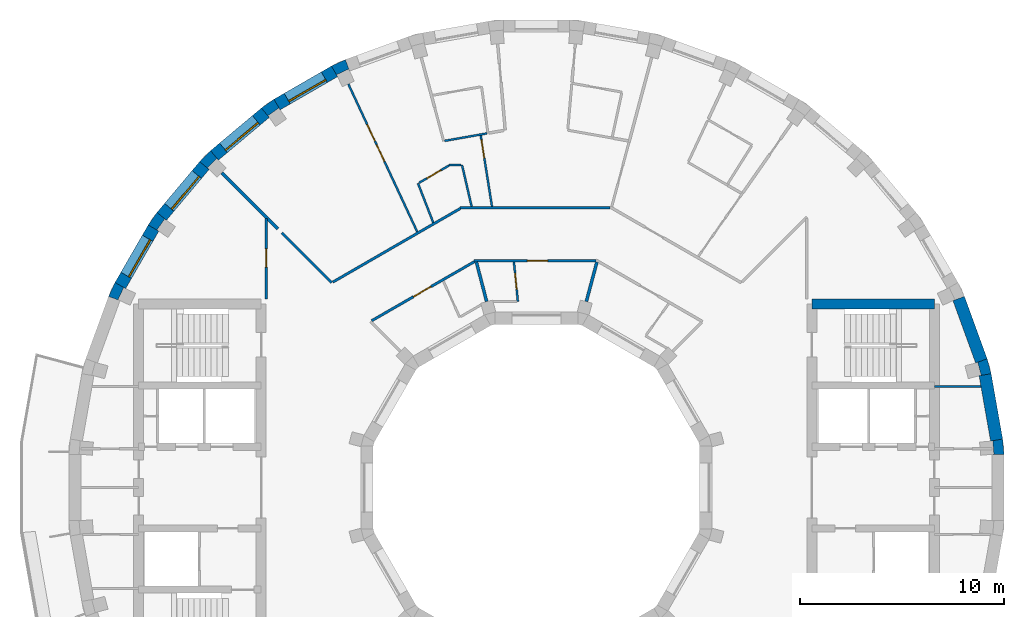
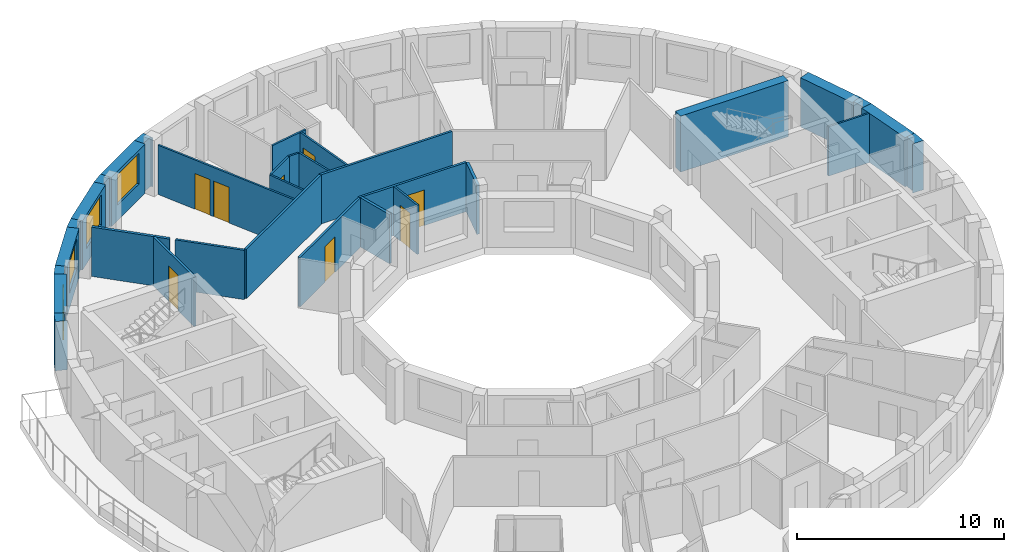
# One storey, part 7 of 10: 32 walls, 8 doors, 4 windows, 12 openings.
"""IFC4 building model written with IfcOpenShell, lengths in metres."""

from ifc_helpers import new_model, si_unit, direction, frame, frame_2d, origin, place, context, subcontext, project, spatial, polyline, rectangle, outline, extrude, material, layer, layer_set, type_object, element, fill, save


model = new_model("IFC4")

# Units and contexts
model_context = context("Model", 3, precision=1e-05, world=origin(), true_north=direction((0.0, 1.0)))
body_context = subcontext(model_context, "Body", "Model", "MODEL_VIEW")
ifc_project = project(units=[si_unit("LENGTHUNIT", "METRE"), si_unit("AREAUNIT", "SQUARE_METRE"), si_unit("VOLUMEUNIT", "CUBIC_METRE"), si_unit("PLANEANGLEUNIT", "RADIAN"), si_unit("MASSUNIT", "GRAM", prefix="KILO")], contexts=[model_context])

# Site, building, storey
site_placement = place(None, origin())
site = spatial("IfcSite", under=ifc_project, at=site_placement, CompositionType="ELEMENT")
building_placement = place(site_placement, origin())
building = spatial("IfcBuilding", under=site, at=building_placement, Name="Saqina Gate Tower", CompositionType="ELEMENT")
storey_placement = place(building_placement, frame((0.0, 0.0, 249.5)))
storey = spatial("IfcBuildingStorey", under=building, at=storey_placement, Name="L71", CompositionType="ELEMENT", Elevation=249.5)

# Walls
ifc_material_1 = material(Name="Brick masonry (buff)", Category="masonry")
wall_type_1 = type_object("IfcWallType", Name="BRICK PIER COPING BUFF", PredefinedType="SOLIDWALL", material=ifc_material_1)
wall_1_placement = place(storey_placement, origin())
element("IfcWall", 1, at=wall_1_placement, inside=storey, type_object=wall_type_1, Name="Pier cap L71 column 1", PredefinedType="SOLIDWALL", context=body_context, shape_type="SweptSolid", body=[
    extrude(outline(polyline([(22.91259765625, 1.625732421875), (22.8466796875, 2.377685546875), (22.255859375, 2.2734375), (22.361083984375, 2.28271484375), (22.417724609375, 1.635009765625), (22.3125, 1.625732421875), (22.91259765625, 1.625732421875)])), origin(), (0.0, 0.0, 1.0), 2.89990234375),
])
wall_2_placement = place(storey_placement, origin())
element("IfcWall", 2, at=wall_2_placement, inside=storey, type_object=wall_type_1, Name="Pier cap L71 column 2", PredefinedType="SOLIDWALL", context=body_context, shape_type="SweptSolid", body=[
    extrude(outline(polyline([(22.0869140625, 6.30859375), (21.52294921875, 6.103515625), (21.625, 6.130859375), (21.793212890625, 5.5029296875), (21.691162109375, 5.4755859375), (22.281982421875, 5.579833984375), (22.0869140625, 6.30859375)])), origin(), (0.0, 0.0, 1.0), 2.89990234375),
])
wall_3_placement = place(storey_placement, origin())
element("IfcWall", 3, at=wall_3_placement, inside=storey, type_object=wall_type_1, Name="Pier cap L71 column 12", PredefinedType="SOLIDWALL", context=body_context, shape_type="SweptSolid", body=[
    extrude(outline(polyline([(-9.3642578125, 20.974609375), (-10.048095703125, 20.65576171875), (-9.748291015625, 20.135986328125), (-9.79296875, 20.23193359375), (-9.203857421875, 20.506591796875), (-9.1591796875, 20.410888671875), (-9.3642578125, 20.974609375)])), origin(), (0.0, 0.0, 1.0), 2.89990234375),
])
wall_4_placement = place(storey_placement, origin())
element("IfcWall", 4, at=wall_4_placement, inside=storey, type_object=wall_type_1, Name="Pier cap L71 column 13", PredefinedType="SOLIDWALL", context=body_context, shape_type="SweptSolid", body=[
    extrude(outline(polyline([(-12.8642578125, 19.02978515625), (-13.482421875, 18.59716796875), (-13.0966796875, 18.137451171875), (-13.157470703125, 18.22412109375), (-12.625, 18.596923828125), (-12.564208984375, 18.51025390625), (-12.8642578125, 19.02978515625)])), origin(), (0.0, 0.0, 1.0), 2.89990234375),
])
wall_5_placement = place(storey_placement, origin())
element("IfcWall", 5, at=wall_5_placement, inside=storey, type_object=wall_type_1, Name="Pier cap L71 column 14", PredefinedType="SOLIDWALL", context=body_context, shape_type="SweptSolid", body=[
    extrude(outline(polyline([(-16.5068359375, 15.973388671875), (-16.04736328125, 15.587646484375), (-16.1220703125, 15.662353515625), (-15.662353515625, 16.1220703125), (-15.587646484375, 16.04736328125), (-15.973388671875, 16.5068359375), (-16.5068359375, 15.973388671875)])), origin(), (0.0, 0.0, 1.0), 2.89990234375),
])
wall_6_placement = place(storey_placement, origin())
element("IfcWall", 6, at=wall_6_placement, inside=storey, type_object=wall_type_1, Name="Pier cap L71 column 15", PredefinedType="SOLIDWALL", context=body_context, shape_type="SweptSolid", body=[
    extrude(outline(polyline([(-19.02978515625, 12.8642578125), (-18.51025390625, 12.564208984375), (-18.596923828125, 12.625), (-18.22412109375, 13.157470703125), (-18.137451171875, 13.0966796875), (-18.59716796875, 13.482421875), (-19.02978515625, 12.8642578125)])), origin(), (0.0, 0.0, 1.0), 2.89990234375),
])
wall_7_placement = place(storey_placement, origin())
element("IfcWall", 7, at=wall_7_placement, inside=storey, type_object=wall_type_1, Name="Pier cap L71 column 16", PredefinedType="SOLIDWALL", context=body_context, shape_type="SweptSolid", body=[
    extrude(outline(polyline([(-20.65576171875, 10.048095703125), (-20.974609375, 9.3642578125), (-20.410888671875, 9.1591796875), (-20.506591796875, 9.203857421875), (-20.23193359375, 9.79296875), (-20.135986328125, 9.748291015625), (-20.65576171875, 10.048095703125)])), origin(), (0.0, 0.0, 1.0), 2.89990234375),
])
ifc_material_2 = material(Name="Gypsum board on steel studs", Category="steel")
ifc_layer_1 = layer(ifc_material_2, 0.10009765625)
ifc_layer_set_1 = layer_set([ifc_layer_1], Name="CORE PARTITION")
wall_type_2 = type_object("IfcWallType", Name="CORE PARTITION", PredefinedType="PARTITIONING", material=ifc_layer_set_1)
wall_8_placement = place(storey_placement, frame((19.5, 4.949951171875, 0.0), z_axis=(0.0, 0.0, 1.0), x_axis=(1.0, 0.0, 0.0)))
element("IfcWall", 8, at=wall_8_placement, inside=storey, type_object=wall_type_2, Name="L71-CP-E02", PredefinedType="PARTITIONING", context=body_context, shape_type="SweptSolid", body=[
    extrude(rectangle(XDim=2.283935546875, YDim=0.10009765625, at=frame_2d((1.14208984375, 0.0))), origin(), (0.0, 0.0, 1.0), 2.89990234375),
])

# Wall, opening, window
ifc_material_3 = material(Name="Brick masonry (buff)", Category="masonry")
ifc_layer_2 = layer(ifc_material_3, 0.60009765625)
ifc_layer_set_2 = layer_set([ifc_layer_2], Name="FW-BRICK-BUFF")
wall_type_3 = type_object("IfcWallType", Name="FW-BRICK-BUFF", PredefinedType="SOLIDWALL", material=ifc_layer_set_2)
wall_9_placement = place(storey_placement, frame((-9.898193359375, 20.39599609375, 0.0), z_axis=(0.0, 0.0, 1.0), x_axis=(-0.866016800201, -0.500014901547, 0.0)))
wall_9 = element("IfcWall", 9, at=wall_9_placement, inside=storey, type_object=wall_type_3, Name="Facade wall L71 facet 12", PredefinedType="SOLIDWALL", context=body_context, shape_type="SweptSolid", body=[
    extrude(rectangle(XDim=3.251953125, YDim=0.60009765625, at=frame_2d((1.6259765625, 0.0))), origin(), (0.0, 0.0, 1.0), 2.89990234375),
])
opening_1_placement = place(wall_9_placement, frame((0.57568359375, 0.0, 0.89990234375)))
opening_1 = element("IfcOpeningElement", 10, at=opening_1_placement, cuts=wall_9, Name="Opening G21-W10", PredefinedType="OPENING", context=body_context, shape_type="SweptSolid", body=[
    extrude(rectangle(XDim=2.10009765625, YDim=1.800048828125, at=frame_2d((1.050048828125, 0.89990234375))), frame((0.0, 0.31201171875, 0.0), z_axis=(0.0, -1.0, 0.0), x_axis=(1.0, 0.0, 0.0)), (0.0, 0.0, 1.0), 0.6240234375),
])
ifc_material_4 = material(Name="Aluminium glazing", Category="aluminium")
window_type = type_object("IfcWindowType", Name="WN-D", PartitioningType="SINGLE_PANEL", PredefinedType="WINDOW", material=ifc_material_4)
window_1_placement = place(opening_1_placement, origin())
window_1 = element("IfcWindow", 11, at=window_1_placement, inside=storey, type_object=window_type, Name="Window L71 facet 12", OverallHeight=1.800048828125, OverallWidth=2.10009765625, PartitioningType="SINGLE_PANEL", PredefinedType="WINDOW", context=body_context, shape_type="SweptSolid", body=[
    extrude(rectangle(XDim=2.10009765625, YDim=1.800048828125, at=frame_2d((1.050048828125, 0.89990234375))), frame((0.0, 0.179931640625, 0.0), z_axis=(0.0, -1.0, 0.0), x_axis=(1.0, 0.0, 0.0)), (0.0, 0.0, 1.0), 0.06005859375),
])
fill(opening_1, window_1)

wall_10_placement = place(storey_placement, frame((-13.28955078125, 18.3671875, 0.0), z_axis=(0.0, 0.0, 1.0), x_axis=(-0.766056773982, -0.64277291405, 0.0)))
wall_10 = element("IfcWall", 12, at=wall_10_placement, inside=storey, type_object=wall_type_3, Name="Facade wall L71 facet 13", PredefinedType="SOLIDWALL", context=body_context, shape_type="SweptSolid", body=[
    extrude(rectangle(XDim=3.251708984375, YDim=0.60009765625, at=frame_2d((1.6259765625, 0.0))), origin(), (0.0, 0.0, 1.0), 2.89990234375),
])
opening_2_placement = place(wall_10_placement, frame((0.57568359375, 0.0, 0.89990234375)))
opening_2 = element("IfcOpeningElement", 13, at=opening_2_placement, cuts=wall_10, Name="Opening G21-W11", PredefinedType="OPENING", context=body_context, shape_type="SweptSolid", body=[
    extrude(rectangle(XDim=2.10009765625, YDim=1.800048828125, at=frame_2d((1.050048828125, 0.89990234375))), frame((0.0, 0.31201171875, 0.0), z_axis=(0.0, -1.0, 0.0), x_axis=(1.0, 0.0, 0.0)), (0.0, 0.0, 1.0), 0.6240234375),
])
window_2_placement = place(opening_2_placement, origin())
window_2 = element("IfcWindow", 14, at=window_2_placement, inside=storey, type_object=window_type, Name="Window L71 facet 13", OverallHeight=1.800048828125, OverallWidth=2.10009765625, PartitioningType="SINGLE_PANEL", PredefinedType="WINDOW", context=body_context, shape_type="SweptSolid", body=[
    extrude(rectangle(XDim=2.10009765625, YDim=1.800048828125, at=frame_2d((1.050048828125, 0.89990234375))), frame((0.0, 0.179931640625, 0.0), z_axis=(0.0, -1.0, 0.0), x_axis=(1.0, 0.0, 0.0)), (0.0, 0.0, 1.0), 0.06005859375),
])
fill(opening_2, window_2)

wall_11_placement = place(storey_placement, frame((-16.277099609375, 15.780517578125, 0.0), z_axis=(0.0, 0.0, 1.0), x_axis=(-0.64277291405, -0.766056773982, 0.0)))
wall_11 = element("IfcWall", 15, at=wall_11_placement, inside=storey, type_object=wall_type_3, Name="Facade wall L71 facet 14", PredefinedType="SOLIDWALL", context=body_context, shape_type="SweptSolid", body=[
    extrude(rectangle(XDim=3.251708984375, YDim=0.60009765625, at=frame_2d((1.6259765625, 0.0))), origin(), (0.0, 0.0, 1.0), 2.89990234375),
])
opening_3_placement = place(wall_11_placement, frame((0.57568359375, 0.0, 0.89990234375)))
opening_3 = element("IfcOpeningElement", 16, at=opening_3_placement, cuts=wall_11, Name="Opening G21-W12", PredefinedType="OPENING", context=body_context, shape_type="SweptSolid", body=[
    extrude(rectangle(XDim=2.10009765625, YDim=1.800048828125, at=frame_2d((1.050048828125, 0.89990234375))), frame((0.0, 0.31201171875, 0.0), z_axis=(0.0, -1.0, 0.0), x_axis=(1.0, 0.0, 0.0)), (0.0, 0.0, 1.0), 0.6240234375),
])
window_3_placement = place(opening_3_placement, origin())
window_3 = element("IfcWindow", 17, at=window_3_placement, inside=storey, type_object=window_type, Name="Window L71 facet 14", OverallHeight=1.800048828125, OverallWidth=2.10009765625, PartitioningType="SINGLE_PANEL", PredefinedType="WINDOW", context=body_context, shape_type="SweptSolid", body=[
    extrude(rectangle(XDim=2.10009765625, YDim=1.800048828125, at=frame_2d((1.050048828125, 0.89990234375))), frame((0.0, 0.179931640625, 0.0), z_axis=(0.0, -1.0, 0.0), x_axis=(1.0, 0.0, 0.0)), (0.0, 0.0, 1.0), 0.06005859375),
])
fill(opening_3, window_3)

wall_12_placement = place(storey_placement, frame((-18.77001953125, 12.71435546875, 0.0), z_axis=(0.0, 0.0, 1.0), x_axis=(-0.500014901547, -0.866016800201, 0.0)))
wall_12 = element("IfcWall", 18, at=wall_12_placement, inside=storey, type_object=wall_type_3, Name="Facade wall L71 facet 15", PredefinedType="SOLIDWALL", context=body_context, shape_type="SweptSolid", body=[
    extrude(rectangle(XDim=3.251953125, YDim=0.60009765625, at=frame_2d((1.6259765625, 0.0))), origin(), (0.0, 0.0, 1.0), 2.89990234375),
])
opening_4_placement = place(wall_12_placement, frame((0.57568359375, 0.0, 0.89990234375)))
opening_4 = element("IfcOpeningElement", 19, at=opening_4_placement, cuts=wall_12, Name="Opening G21-W13", PredefinedType="OPENING", context=body_context, shape_type="SweptSolid", body=[
    extrude(rectangle(XDim=2.10009765625, YDim=1.800048828125, at=frame_2d((1.050048828125, 0.89990234375))), frame((0.0, 0.31201171875, 0.0), z_axis=(0.0, -1.0, 0.0), x_axis=(1.0, 0.0, 0.0)), (0.0, 0.0, 1.0), 0.6240234375),
])
window_4_placement = place(opening_4_placement, origin())
window_4 = element("IfcWindow", 20, at=window_4_placement, inside=storey, type_object=window_type, Name="Window L71 facet 15", OverallHeight=1.800048828125, OverallWidth=2.10009765625, PartitioningType="SINGLE_PANEL", PredefinedType="WINDOW", context=body_context, shape_type="SweptSolid", body=[
    extrude(rectangle(XDim=2.10009765625, YDim=1.800048828125, at=frame_2d((1.050048828125, 0.89990234375))), frame((0.0, 0.179931640625, 0.0), z_axis=(0.0, -1.0, 0.0), x_axis=(1.0, 0.0, 0.0)), (0.0, 0.0, 1.0), 0.06005859375),
])
fill(opening_4, window_4)

# Walls
ifc_material_5 = material(Name="Glazed ceramic tile", Category="ceramic")
ifc_layer_3 = layer(ifc_material_5, 0.60009765625)
ifc_layer_set_3 = layer_set([ifc_layer_3], Name="FW-TILE")
wall_type_4 = type_object("IfcWallType", Name="FW-TILE", PredefinedType="SOLIDWALL", material=ifc_layer_set_3)
wall_13_placement = place(storey_placement, frame((21.804931640625, 6.2060546875, 0.0), z_axis=(0.0, 0.0, 1.0), x_axis=(-0.342056509473, 0.939679383794, 0.0)))
element("IfcWall", 21, at=wall_13_placement, inside=storey, type_object=wall_type_4, Name="Facade wall L71 facet 2", PredefinedType="SOLIDWALL", context=body_context, shape_type="SweptSolid", body=[
    extrude(rectangle(XDim=3.251708984375, YDim=0.60009765625, at=frame_2d((1.6259765625, 0.0))), origin(), (0.0, 0.0, 1.0), 2.89990234375),
])
ifc_material_6 = material(Name="Glazed ceramic tile (white)", Category="ceramic")
ifc_layer_4 = layer(ifc_material_6, 0.60009765625)
ifc_layer_set_4 = layer_set([ifc_layer_4], Name="FW-TILE-WH")
wall_type_5 = type_object("IfcWallType", Name="FW-TILE-WH", PredefinedType="SOLIDWALL", material=ifc_layer_set_4)
wall_14_placement = place(storey_placement, frame((22.55126953125, 2.325439453125, 0.0), z_axis=(0.0, 0.0, 1.0), x_axis=(-0.173656842178, 0.984806225186, 0.0)))
element("IfcWall", 22, at=wall_14_placement, inside=storey, type_object=wall_type_5, Name="Facade wall L71 facet 1", PredefinedType="SOLIDWALL", context=body_context, shape_type="SweptSolid", body=[
    extrude(rectangle(XDim=3.251708984375, YDim=0.60009765625, at=frame_2d((1.6259765625, 0.0))), origin(), (0.0, 0.0, 1.0), 2.89990234375),
])

# Wall, opening, door
ifc_material_7 = material(Name="Gypsum board on steel studs, 100 mm", Category="steel")
ifc_layer_5 = layer(ifc_material_7, 0.10009765625)
ifc_layer_set_5 = layer_set([ifc_layer_5], Name="PARTITION 100")
wall_type_6 = type_object("IfcWallType", Name="PARTITION 100", PredefinedType="PARTITIONING", material=ifc_layer_set_5)
wall_15_placement = place(storey_placement, frame((-1.105712890625, 11.0478515625, 0.0), z_axis=(0.0, 0.0, 1.0), x_axis=(0.099416829924, -0.995045875288, 0.0)))
wall_15 = element("IfcWall", 23, at=wall_15_placement, inside=storey, type_object=wall_type_6, Name="PARTITION PW3-01", PredefinedType="PARTITIONING", context=body_context, shape_type="SweptSolid", body=[
    extrude(rectangle(XDim=1.947509765625, YDim=0.10009765625, at=frame_2d((0.9736328125, 0.0))), origin(), (0.0, 0.0, 1.0), 2.89990234375),
])
opening_5_placement = place(wall_15_placement, frame((0.54248046875, 0.0, 0.0)))
opening_5 = element("IfcOpeningElement", 24, at=opening_5_placement, cuts=wall_15, Name="Opening G21-D14", PredefinedType="OPENING", context=body_context, shape_type="SweptSolid", body=[
    extrude(rectangle(XDim=0.800048828125, YDim=2.10009765625, at=frame_2d((0.39990234375, 1.050048828125))), frame((0.0, 0.06201171875, 0.0), z_axis=(0.0, -1.0, 0.0), x_axis=(1.0, 0.0, 0.0)), (0.0, 0.0, 1.0), 0.1240234375),
])
ifc_material_8 = material(Name="Timber door leaf, 800 mm", Category="wood")
door_type_1 = type_object("IfcDoorType", Name="DOOR 800 TIMBER", OperationType="SINGLE_SWING_LEFT", PredefinedType="DOOR", material=ifc_material_8)
door_1_placement = place(opening_5_placement, frame((0.800048828125, 0.0, 0.0), z_axis=(0.0, 0.0, 1.0), x_axis=(-1.0, 0.0, 0.0)))
door_1 = element("IfcDoor", 25, at=door_1_placement, inside=storey, type_object=door_type_1, Name="DOOR G21-D14", OperationType="SINGLE_SWING_LEFT", OverallHeight=2.10009765625, OverallWidth=0.800048828125, PredefinedType="DOOR", context=body_context, shape_type="SweptSolid", body=[
    extrude(rectangle(XDim=0.800048828125, YDim=2.10009765625, at=frame_2d((0.39990234375, 1.050048828125))), frame((0.0, 0.02490234375, 0.0), z_axis=(0.0, -1.0, 0.0), x_axis=(1.0, 0.0, 0.0)), (0.0, 0.0, 1.0), 0.050048828125),
])
fill(opening_5, door_1)

wall_16_placement = place(storey_placement, frame((-2.732177734375, 17.24951171875, 0.0), z_axis=(0.0, 0.0, 1.0), x_axis=(0.156624768699, -0.987658180663, 0.0)))
wall_16 = element("IfcWall", 26, at=wall_16_placement, inside=storey, type_object=wall_type_6, Name="PARTITION PW3-04", PredefinedType="PARTITIONING", context=body_context, shape_type="SweptSolid", body=[
    extrude(rectangle(XDim=3.521240234375, YDim=0.10009765625, at=frame_2d((1.7607421875, 0.0))), origin(), (0.0, 0.0, 1.0), 2.89990234375),
])
opening_6_placement = place(wall_16_placement, frame((0.216796875, 0.0, 0.0)))
opening_6 = element("IfcOpeningElement", 27, at=opening_6_placement, cuts=wall_16, Name="Opening G21-D15", PredefinedType="OPENING", context=body_context, shape_type="SweptSolid", body=[
    extrude(rectangle(XDim=0.89990234375, YDim=2.10009765625, at=frame_2d((0.449951171875, 1.050048828125))), frame((0.0, 0.06201171875, 0.0), z_axis=(0.0, -1.0, 0.0), x_axis=(1.0, 0.0, 0.0)), (0.0, 0.0, 1.0), 0.1240234375),
])
ifc_material_9 = material(Name="Timber door leaf, 900 mm", Category="wood")
door_type_2 = type_object("IfcDoorType", Name="DOOR 900 TIMBER", OperationType="SINGLE_SWING_LEFT", PredefinedType="DOOR", material=ifc_material_9)
door_2_placement = place(opening_6_placement, origin())
door_2 = element("IfcDoor", 28, at=door_2_placement, inside=storey, type_object=door_type_2, Name="DOOR G21-D15", OperationType="SINGLE_SWING_LEFT", OverallHeight=2.10009765625, OverallWidth=0.89990234375, PredefinedType="DOOR", context=body_context, shape_type="SweptSolid", body=[
    extrude(rectangle(XDim=0.89990234375, YDim=2.10009765625, at=frame_2d((0.449951171875, 1.050048828125))), frame((0.0, 0.02490234375, 0.0), z_axis=(0.0, -1.0, 0.0), x_axis=(1.0, 0.0, 0.0)), (0.0, 0.0, 1.0), 0.050048828125),
])
fill(opening_6, door_2)

# Walls
wall_17_placement = place(storey_placement, frame((-3.64990234375, 15.81005859375, 0.0), z_axis=(0.0, 0.0, 1.0), x_axis=(0.22503842629, -0.974349889256, 0.0)))
element("IfcWall", 29, at=wall_17_placement, inside=storey, type_object=wall_type_6, Name="PARTITION PW3-05", PredefinedType="PARTITIONING", context=body_context, shape_type="SweptSolid", body=[
    extrude(rectangle(XDim=2.0927734375, YDim=0.10009765625, at=frame_2d((1.04638671875, 0.0))), origin(), (0.0, 0.0, 1.0), 2.89990234375),
])
wall_18_placement = place(storey_placement, frame((-5.806884765625, 14.903076171875, 0.0), z_axis=(0.0, 0.0, 1.0), x_axis=(0.362800505058, -0.931866832509, 0.0)))
element("IfcWall", 30, at=wall_18_placement, inside=storey, type_object=wall_type_6, Name="PARTITION PW3-07", PredefinedType="PARTITIONING", context=body_context, shape_type="SweptSolid", body=[
    extrude(rectangle(XDim=2.061767578125, YDim=0.10009765625, at=frame_2d((1.03076171875, 0.0))), origin(), (0.0, 0.0, 1.0), 2.89990234375),
])

# Wall, openings, doors
wall_19_placement = place(storey_placement, frame((-9.2197265625, 19.77099609375, 0.0), z_axis=(0.0, 0.0, 1.0), x_axis=(0.422639558445, -0.906297855916, 0.0)))
wall_19 = element("IfcWall", 31, at=wall_19_placement, inside=storey, type_object=wall_type_6, Name="PARTITION PW3-09", PredefinedType="PARTITIONING", context=body_context, shape_type="SweptSolid", body=[
    extrude(rectangle(XDim=7.990234375, YDim=0.10009765625, at=frame_2d((3.9951171875, 0.0))), origin(), (0.0, 0.0, 1.0), 2.89990234375),
])
opening_7_placement = place(wall_19_placement, frame((3.285400390625, 0.0, 0.0)))
opening_7 = element("IfcOpeningElement", 32, at=opening_7_placement, cuts=wall_19, Name="Opening G21-D19", PredefinedType="OPENING", context=body_context, shape_type="SweptSolid", body=[
    extrude(rectangle(XDim=0.89990234375, YDim=2.10009765625, at=frame_2d((0.449951171875, 1.050048828125))), frame((0.0, 0.06201171875, 0.0), z_axis=(0.0, -1.0, 0.0), x_axis=(1.0, 0.0, 0.0)), (0.0, 0.0, 1.0), 0.1240234375),
])
opening_8_placement = place(wall_19_placement, frame((2.185546875, 0.0, 0.0)))
opening_8 = element("IfcOpeningElement", 33, at=opening_8_placement, cuts=wall_19, Name="Opening G21-D20", PredefinedType="OPENING", context=body_context, shape_type="SweptSolid", body=[
    extrude(rectangle(XDim=0.89990234375, YDim=2.10009765625, at=frame_2d((0.449951171875, 1.050048828125))), frame((0.0, 0.06201171875, 0.0), z_axis=(0.0, -1.0, 0.0), x_axis=(1.0, 0.0, 0.0)), (0.0, 0.0, 1.0), 0.1240234375),
])
door_3_placement = place(opening_7_placement, frame((0.89990234375, 0.0, 0.0), z_axis=(0.0, 0.0, 1.0), x_axis=(-1.0, 0.0, 0.0)))
door_3 = element("IfcDoor", 34, at=door_3_placement, inside=storey, type_object=door_type_2, Name="DOOR G21-D19", OperationType="SINGLE_SWING_RIGHT", OverallHeight=2.10009765625, OverallWidth=0.89990234375, PredefinedType="DOOR", context=body_context, shape_type="SweptSolid", body=[
    extrude(rectangle(XDim=0.89990234375, YDim=2.10009765625, at=frame_2d((0.449951171875, 1.050048828125))), frame((0.0, 0.02490234375, 0.0), z_axis=(0.0, -1.0, 0.0), x_axis=(1.0, 0.0, 0.0)), (0.0, 0.0, 1.0), 0.050048828125),
])
fill(opening_7, door_3)
door_4_placement = place(opening_8_placement, frame((0.89990234375, 0.0, 0.0), z_axis=(0.0, 0.0, 1.0), x_axis=(-1.0, 0.0, 0.0)))
door_4 = element("IfcDoor", 35, at=door_4_placement, inside=storey, type_object=door_type_2, Name="DOOR G21-D20", OperationType="SINGLE_SWING_RIGHT", OverallHeight=2.10009765625, OverallWidth=0.89990234375, PredefinedType="DOOR", context=body_context, shape_type="SweptSolid", body=[
    extrude(rectangle(XDim=0.89990234375, YDim=2.10009765625, at=frame_2d((0.449951171875, 1.050048828125))), frame((0.0, 0.02490234375, 0.0), z_axis=(0.0, -1.0, 0.0), x_axis=(1.0, 0.0, 0.0)), (0.0, 0.0, 1.0), 0.050048828125),
])
fill(opening_8, door_4)

# Walls
wall_20_placement = place(storey_placement, frame((-4.294677734375, 15.81005859375, 0.0), z_axis=(0.0, 0.0, 1.0), x_axis=(1.0, 0.0, 0.0)))
element("IfcWall", 36, at=wall_20_placement, inside=storey, type_object=wall_type_6, Name="PARTITION PW3-27", PredefinedType="PARTITIONING", context=body_context, shape_type="SweptSolid", body=[
    extrude(rectangle(XDim=0.5927734375, YDim=0.10009765625, at=frame_2d((0.29638671875, 0.0))), origin(), (0.0, 0.0, 1.0), 2.89990234375),
])
wall_21_placement = place(storey_placement, frame((-4.499755859375, 16.98876953125, 0.0), z_axis=(0.0, 0.0, 1.0), x_axis=(0.984790568505, 0.173745607667, 0.0)))
element("IfcWall", 37, at=wall_21_placement, inside=storey, type_object=wall_type_6, Name="PARTITION PW3-30", PredefinedType="PARTITIONING", context=body_context, shape_type="SweptSolid", body=[
    extrude(rectangle(XDim=2.103515625, YDim=0.10009765625, at=frame_2d((1.0517578125, 0.0))), origin(), (0.0, 0.0, 1.0), 2.89990234375),
])

# Wall, opening, door
wall_22_placement = place(storey_placement, frame((-5.76171875, 14.92919921875, 0.0), z_axis=(0.0, 0.0, 1.0), x_axis=(0.865924135104, 0.500175361493, 0.0)))
wall_22 = element("IfcWall", 38, at=wall_22_placement, inside=storey, type_object=wall_type_6, Name="PARTITION PW3-35", PredefinedType="PARTITIONING", context=body_context, shape_type="SweptSolid", body=[
    extrude(rectangle(XDim=1.7109375, YDim=0.10009765625, at=frame_2d((0.85546875, 0.0))), origin(), (0.0, 0.0, 1.0), 2.89990234375),
])
opening_9_placement = place(wall_22_placement, frame((0.454345703125, 0.0, 0.0)))
opening_9 = element("IfcOpeningElement", 39, at=opening_9_placement, cuts=wall_22, Name="Opening G21-D17", PredefinedType="OPENING", context=body_context, shape_type="SweptSolid", body=[
    extrude(rectangle(XDim=0.800048828125, YDim=2.10009765625, at=frame_2d((0.39990234375, 1.050048828125))), frame((0.0, 0.06201171875, 0.0), z_axis=(0.0, -1.0, 0.0), x_axis=(1.0, 0.0, 0.0)), (0.0, 0.0, 1.0), 0.1240234375),
])
door_5_placement = place(opening_9_placement, origin())
door_5 = element("IfcDoor", 40, at=door_5_placement, inside=storey, type_object=door_type_1, Name="DOOR G21-D17", OperationType="SINGLE_SWING_RIGHT", OverallHeight=2.10009765625, OverallWidth=0.800048828125, PredefinedType="DOOR", context=body_context, shape_type="SweptSolid", body=[
    extrude(rectangle(XDim=0.800048828125, YDim=2.10009765625, at=frame_2d((0.39990234375, 1.050048828125))), frame((0.0, 0.02490234375, 0.0), z_axis=(0.0, -1.0, 0.0), x_axis=(1.0, 0.0, 0.0)), (0.0, 0.0, 1.0), 0.050048828125),
])
fill(opening_9, door_5)

# Wall
ifc_material_10 = material(Name="Gypsum board on steel studs, 125 mm, fire rated", Category="steel")
ifc_layer_6 = layer(ifc_material_10, 0.125)
ifc_layer_set_6 = layer_set([ifc_layer_6], Name="PARTITION EI 30 125")
wall_type_7 = type_object("IfcWallType", Name="PARTITION EI 30 125", PredefinedType="PARTITIONING", material=ifc_layer_set_6)
wall_23_placement = place(storey_placement, frame((-12.47412109375, 12.47412109375, 0.0), z_axis=(0.0, 0.0, 1.0), x_axis=(0.707106781187, -0.707106781187, 0.0)))
element("IfcWall", 41, at=wall_23_placement, inside=storey, type_object=wall_type_7, Name="PARTITION PW1-04", PredefinedType="PARTITIONING", context=body_context, shape_type="SweptSolid", body=[
    extrude(rectangle(XDim=3.4482421875, YDim=0.125, at=frame_2d((1.72412109375, 0.0))), origin(), (0.0, 0.0, 1.0), 2.89990234375),
])

# Wall, opening, door
wall_24_placement = place(storey_placement, frame((-3.0634765625, 11.110107421875, 0.0), z_axis=(0.0, 0.0, 1.0), x_axis=(1.0, 0.0, 0.0)))
wall_24 = element("IfcWall", 42, at=wall_24_placement, inside=storey, type_object=wall_type_7, Name="PARTITION PW1-19", PredefinedType="PARTITIONING", context=body_context, shape_type="SweptSolid", body=[
    extrude(rectangle(XDim=5.97802734375, YDim=0.125, at=frame_2d((2.989013671875, 0.0))), origin(), (0.0, 0.0, 1.0), 2.89990234375),
])
opening_10_placement = place(wall_24_placement, frame((2.614013671875, 0.0, 0.0)))
opening_10 = element("IfcOpeningElement", 43, at=opening_10_placement, cuts=wall_24, Name="Opening G21-D12", PredefinedType="OPENING", context=body_context, shape_type="SweptSolid", body=[
    extrude(rectangle(XDim=1.0, YDim=2.10009765625, at=frame_2d((0.5, 1.050048828125))), frame((0.0, 0.074462890625, 0.0), z_axis=(0.0, -1.0, 0.0), x_axis=(1.0, 0.0, 0.0)), (0.0, 0.0, 1.0), 0.14892578125),
])
ifc_material_11 = material(Name="Fire door leaf EI 30, 1000 mm")
door_type_3 = type_object("IfcDoorType", Name="DOOR 1000 EI 30", OperationType="SINGLE_SWING_LEFT", PredefinedType="DOOR", material=ifc_material_11)
door_6_placement = place(opening_10_placement, frame((1.0, 0.0, 0.0), z_axis=(0.0, 0.0, 1.0), x_axis=(-1.0, 0.0, 0.0)))
door_6 = element("IfcDoor", 44, at=door_6_placement, inside=storey, type_object=door_type_3, Name="DOOR G21-D12", OperationType="SINGLE_SWING_RIGHT", OverallHeight=2.10009765625, OverallWidth=1.0, PredefinedType="DOOR", context=body_context, shape_type="SweptSolid", body=[
    extrude(rectangle(XDim=1.0, YDim=2.10009765625, at=frame_2d((0.5, 1.050048828125))), frame((0.0, 0.02490234375, 0.0), z_axis=(0.0, -1.0, 0.0), x_axis=(1.0, 0.0, 0.0)), (0.0, 0.0, 1.0), 0.050048828125),
])
fill(opening_10, door_6)

# Wall
wall_25_placement = place(storey_placement, frame((-3.74609375, 13.7099609375, 0.0), z_axis=(0.0, 0.0, 1.0), x_axis=(1.0, 0.0, 0.0)))
element("IfcWall", 45, at=wall_25_placement, inside=storey, type_object=wall_type_7, Name="PARTITION PW1-20", PredefinedType="PARTITIONING", context=body_context, shape_type="SweptSolid", body=[
    extrude(rectangle(XDim=7.356689453125, YDim=0.125, at=frame_2d((3.67822265625, 0.0))), origin(), (0.0, 0.0, 1.0), 2.89990234375),
])

# Wall, opening, door
wall_26_placement = place(storey_placement, frame((-8.08251953125, 8.170654296875, 0.0), z_axis=(0.0, 0.0, 1.0), x_axis=(0.866868209522, 0.498537368027, 0.0)))
wall_26 = element("IfcWall", 46, at=wall_26_placement, inside=storey, type_object=wall_type_7, Name="PARTITION PW1-25", PredefinedType="PARTITIONING", context=body_context, shape_type="SweptSolid", body=[
    extrude(rectangle(XDim=5.81640625, YDim=0.125, at=frame_2d((2.908203125, 0.0))), origin(), (0.0, 0.0, 1.0), 2.89990234375),
])
opening_11_placement = place(wall_26_placement, frame((2.36376953125, 0.0, 0.0)))
opening_11 = element("IfcOpeningElement", 47, at=opening_11_placement, cuts=wall_26, Name="Opening G21-D21", PredefinedType="OPENING", context=body_context, shape_type="SweptSolid", body=[
    extrude(rectangle(XDim=1.0, YDim=2.10009765625, at=frame_2d((0.5, 1.050048828125))), frame((0.0, 0.074462890625, 0.0), z_axis=(0.0, -1.0, 0.0), x_axis=(1.0, 0.0, 0.0)), (0.0, 0.0, 1.0), 0.14892578125),
])
door_7_placement = place(opening_11_placement, origin())
door_7 = element("IfcDoor", 48, at=door_7_placement, inside=storey, type_object=door_type_3, Name="DOOR G21-D21", OperationType="SINGLE_SWING_LEFT", OverallHeight=2.10009765625, OverallWidth=1.0, PredefinedType="DOOR", context=body_context, shape_type="SweptSolid", body=[
    extrude(rectangle(XDim=1.0, YDim=2.10009765625, at=frame_2d((0.5, 1.050048828125))), frame((0.0, 0.02490234375, 0.0), z_axis=(0.0, -1.0, 0.0), x_axis=(1.0, 0.0, 0.0)), (0.0, 0.0, 1.0), 0.050048828125),
])
fill(opening_11, door_7)

# Wall
wall_27_placement = place(storey_placement, frame((-9.98193359375, 10.067138671875, 0.0), z_axis=(0.0, 0.0, 1.0), x_axis=(0.865972766561, 0.500091159265, 0.0)))
element("IfcWall", 49, at=wall_27_placement, inside=storey, type_object=wall_type_7, Name="PARTITION PW1-26", PredefinedType="PARTITIONING", context=body_context, shape_type="SweptSolid", body=[
    extrude(rectangle(XDim=7.221923828125, YDim=0.125, at=frame_2d((3.61083984375, 0.0))), origin(), (0.0, 0.0, 1.0), 2.89990234375),
])

# Wall, opening, door
wall_28_placement = place(storey_placement, frame((-13.25, 9.25, 0.0), z_axis=(0.0, 0.0, 1.0), x_axis=(0.0, 1.0, 0.0)))
wall_28 = element("IfcWall", 50, at=wall_28_placement, inside=storey, type_object=wall_type_7, Name="PARTITION PW1-41", PredefinedType="PARTITIONING", context=body_context, shape_type="SweptSolid", body=[
    extrude(rectangle(XDim=3.925048828125, YDim=0.125, at=frame_2d((1.96240234375, 0.0))), origin(), (0.0, 0.0, 1.0), 2.89990234375),
])
opening_12_placement = place(wall_28_placement, frame((1.550048828125, 0.0, 0.0)))
opening_12 = element("IfcOpeningElement", 51, at=opening_12_placement, cuts=wall_28, Name="Opening G21-D22", PredefinedType="OPENING", context=body_context, shape_type="SweptSolid", body=[
    extrude(rectangle(XDim=0.89990234375, YDim=2.10009765625, at=frame_2d((0.449951171875, 1.050048828125))), frame((0.0, 0.074462890625, 0.0), z_axis=(0.0, -1.0, 0.0), x_axis=(1.0, 0.0, 0.0)), (0.0, 0.0, 1.0), 0.14892578125),
])
ifc_material_12 = material(Name="Fire door leaf EI 30, 900 mm")
door_type_4 = type_object("IfcDoorType", Name="DOOR 900 EI 30", OperationType="SINGLE_SWING_LEFT", PredefinedType="DOOR", material=ifc_material_12)
door_8_placement = place(opening_12_placement, origin())
door_8 = element("IfcDoor", 52, at=door_8_placement, inside=storey, type_object=door_type_4, Name="DOOR G21-D22", OperationType="SINGLE_SWING_RIGHT", OverallHeight=2.10009765625, OverallWidth=0.89990234375, PredefinedType="DOOR", context=body_context, shape_type="SweptSolid", body=[
    extrude(rectangle(XDim=0.89990234375, YDim=2.10009765625, at=frame_2d((0.449951171875, 1.050048828125))), frame((0.0, 0.02490234375, 0.0), z_axis=(0.0, -1.0, 0.0), x_axis=(1.0, 0.0, 0.0)), (0.0, 0.0, 1.0), 0.050048828125),
])
fill(opening_12, door_8)

# Walls
ifc_material_13 = material(Name="Gypsum board on steel studs, 150 mm, fire rated", Category="steel")
ifc_layer_7 = layer(ifc_material_13, 0.14990234375)
ifc_layer_set_7 = layer_set([ifc_layer_7], Name="PARTITION EI 60 150")
wall_type_8 = type_object("IfcWallType", Name="PARTITION EI 60 150", PredefinedType="PARTITIONING", material=ifc_layer_set_7)
wall_29_placement = place(storey_placement, frame((-2.9462890625, 11.053466796875, 0.0), z_axis=(0.0, 0.0, 1.0), x_axis=(0.251585758505, -0.96783500976, 0.0)))
element("IfcWall", 53, at=wall_29_placement, inside=storey, type_object=wall_type_8, Name="PARTITION PW2-01", PredefinedType="PARTITIONING", context=body_context, shape_type="SweptSolid", body=[
    extrude(rectangle(XDim=1.9970703125, YDim=0.14990234375, at=frame_2d((0.99853515625, 0.0))), origin(), (0.0, 0.0, 1.0), 2.89990234375),
])
wall_30_placement = place(storey_placement, frame((-15.425537109375, 15.425537109375, 0.0), z_axis=(0.0, 0.0, 1.0), x_axis=(0.706981050965, -0.707232489056, 0.0)))
element("IfcWall", 54, at=wall_30_placement, inside=storey, type_object=wall_type_8, Name="PARTITION PW2-05", PredefinedType="PARTITIONING", context=body_context, shape_type="SweptSolid", body=[
    extrude(rectangle(XDim=3.8837890625, YDim=0.14990234375, at=frame_2d((1.94189453125, 0.0))), origin(), (0.0, 0.0, 1.0), 2.89990234375),
])
wall_31_placement = place(storey_placement, frame((2.444091796875, 9.120361328125, 0.0), z_axis=(0.0, 0.0, 1.0), x_axis=(0.258780892738, 0.965936048377, 0.0)))
element("IfcWall", 55, at=wall_31_placement, inside=storey, type_object=wall_type_8, Name="PARTITION PW2-10", PredefinedType="PARTITIONING", context=body_context, shape_type="SweptSolid", body=[
    extrude(rectangle(XDim=1.997314453125, YDim=0.14990234375, at=frame_2d((0.99853515625, 0.0))), origin(), (0.0, 0.0, 1.0), 2.89990234375),
])
ifc_material_14 = material(Name="Concrete C60/75", Category="concrete")
ifc_layer_8 = layer(ifc_material_14, 0.5)
ifc_layer_set_8 = layer_set([ifc_layer_8], Name="Concrete C60/75")
wall_type_9 = type_object("IfcWallType", Name="STR-CORE WALL-D-O", PredefinedType="SHEAR", material=ifc_layer_set_8)
wall_32_placement = place(storey_placement, frame((13.5, 9.0, 0.0), z_axis=(0.0, 0.0, 1.0), x_axis=(1.0, 0.0, 0.0)))
element("IfcWall", 56, at=wall_32_placement, inside=storey, type_object=wall_type_9, Name="CORE WALL L71 E-NE", PredefinedType="SHEAR", context=body_context, shape_type="SweptSolid", body=[
    extrude(rectangle(XDim=6.0, YDim=0.5, at=frame_2d((3.0, 0.0))), origin(), (0.0, 0.0, 1.0), 3.300048828125),
])

save(model, "model.ifc")
